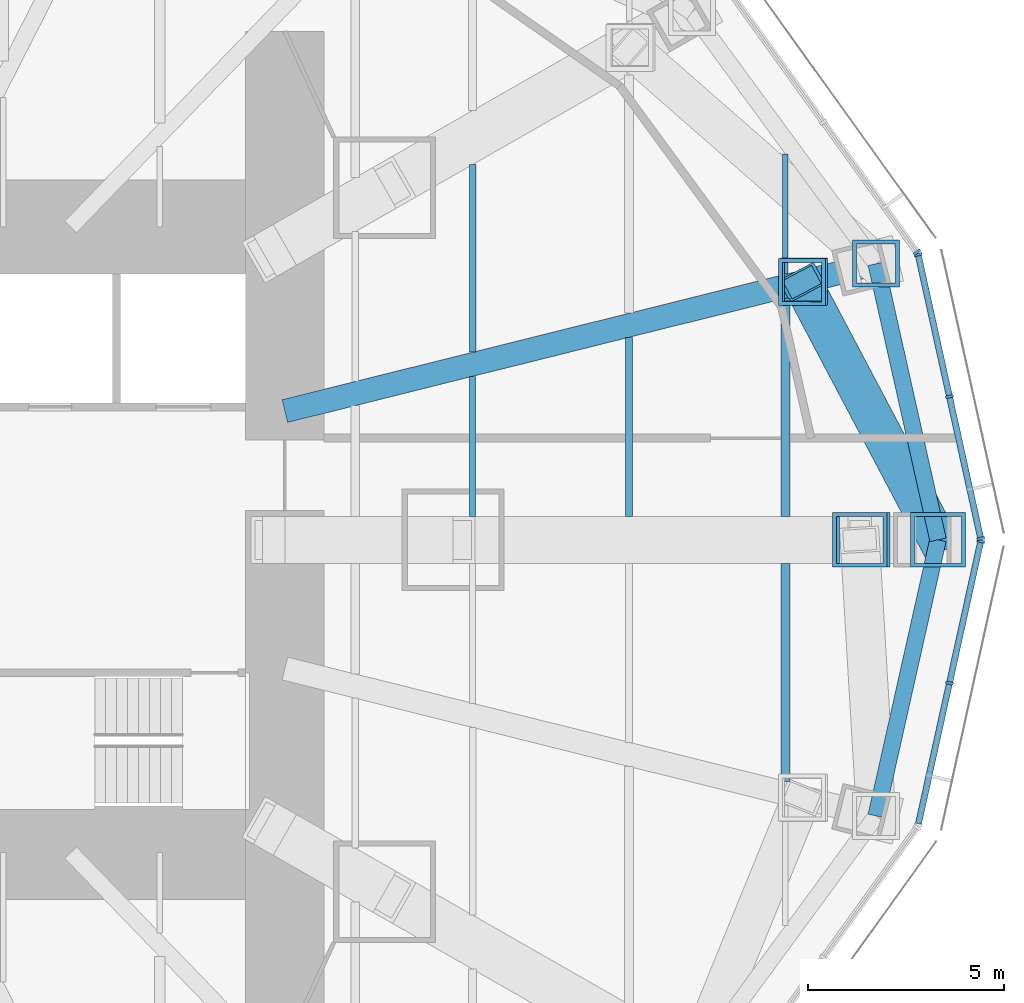
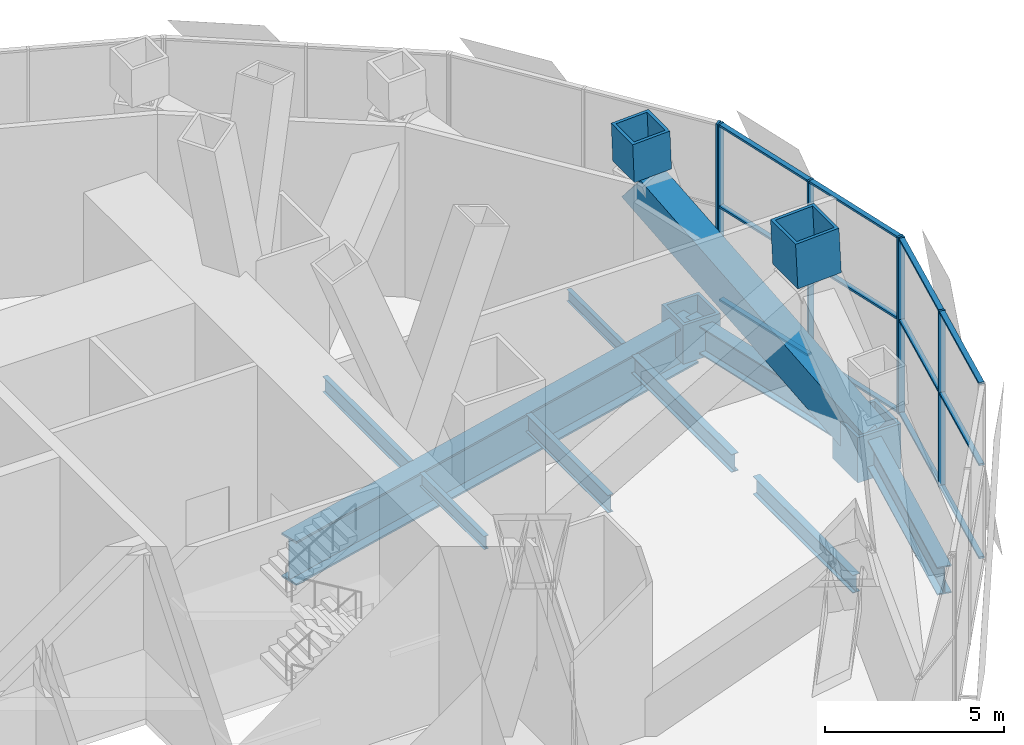
# One storey, part 7 of 21: 23 members, 9 beams, 3 elements without a shape of their own.
"""IFC4 building model written with IfcOpenShell, lengths in metres."""

import ifcopenshell
import ifcopenshell.guid

model = None  # the IFC model being written
_history = None  # IfcOwnerHistory: only IFC2X3 demands one
_inside = {}  # id of a spatial element -> (the spatial element, [elements in it])
_under = {}  # id of a project, library or spatial element -> (it, [spatial elements below it])
_declared = {}  # id of a project -> (the project, [libraries it declares])
_typed = {}  # id of a type object -> (the type object, [elements of that type])
_made_of = {}  # id of a material, layer set ... -> (it, [elements and type objects made of it])


def new_model(schema):
    """Start an empty IFC model of exactly this schema.

    Asked for "IFC4X3", IfcOpenShell would pick the latest addendum, in which some entities
    have other attributes; the version numbers below select the first issue.
    IFC2X3 requires an IfcOwnerHistory on every rooted entity: one is made here for all.
    """
    global model, _history
    if schema == "IFC4X3":
        model = ifcopenshell.file(schema_version=(4, 3, 0, 0))
    else:
        model = ifcopenshell.file(schema=schema)
    _inside.clear()
    _under.clear()
    _declared.clear()
    _typed.clear()
    _made_of.clear()
    _history = None
    if model.schema == "IFC2X3":
        org = make("IfcOrganization", Name="unknown")
        user = make(
            "IfcPersonAndOrganization",
            ThePerson=make("IfcPerson", FamilyName="unknown"),
            TheOrganization=org,
        )
        app = make(
            "IfcApplication",
            ApplicationDeveloper=org,
            Version="unknown",
            ApplicationFullName="unknown",
            ApplicationIdentifier="unknown",
        )
        _history = make(
            "IfcOwnerHistory",
            OwningUser=user,
            OwningApplication=app,
            ChangeAction="ADDED",
            CreationDate=0,
        )
    return model


def make(cls, **values):
    """One entity of the class cls with the attributes given. An attribute that is None is left unset."""
    return model.create_entity(
        cls, **{name: value for name, value in values.items() if value is not None}
    )


def rooted(cls, **values):
    """An entity with a GlobalId (a new one), such as an element, a storey or a relation."""
    return make(cls, GlobalId=ifcopenshell.guid.new(), OwnerHistory=_history, **values)


def si_unit(unit_type, name, prefix=None):
    """IfcSIUnit, for example si_unit("LENGTHUNIT", "METRE", prefix="MILLI")."""
    return make("IfcSIUnit", UnitType=unit_type, Prefix=prefix, Name=name)


def assignment(units):
    """IfcUnitAssignment: the units of a project."""
    return None if units is None else make("IfcUnitAssignment", Units=units)


def point(xyz):
    """IfcCartesianPoint."""
    return None if xyz is None else make("IfcCartesianPoint", Coordinates=xyz)


def direction(xyz):
    """IfcDirection."""
    return None if xyz is None else make("IfcDirection", DirectionRatios=xyz)


def frame(location, z_axis=None, x_axis=None):
    """IfcAxis2Placement3D, a coordinate frame: its origin and axes. An axis left out is left unset."""
    return make(
        "IfcAxis2Placement3D",
        Location=point(location),
        Axis=direction(z_axis),
        RefDirection=direction(x_axis),
    )


def frame_2d(location, x_axis=None):
    """IfcAxis2Placement2D, a coordinate frame in the plane: its origin and x axis."""
    return make(
        "IfcAxis2Placement2D", Location=point(location), RefDirection=direction(x_axis)
    )


def origin():
    """The frame at (0, 0, 0) with its axes left unset."""
    return frame((0.0, 0.0, 0.0))


def origin_2d():
    """The frame at (0, 0) in the plane with its x axis left unset."""
    return frame_2d((0.0, 0.0))


def place(relative_to, where):
    """IfcLocalPlacement: puts the frame where relative to a parent placement (None: the world)."""
    return make(
        "IfcLocalPlacement", PlacementRelTo=relative_to, RelativePlacement=where
    )


def context(
    kind, dimensions, precision=None, world=None, true_north=None, identifier=None
):
    """IfcGeometricRepresentationContext, for example the 3D "Model" context."""
    return make(
        "IfcGeometricRepresentationContext",
        ContextIdentifier=identifier,
        ContextType=kind,
        CoordinateSpaceDimension=dimensions,
        Precision=precision,
        WorldCoordinateSystem=world,
        TrueNorth=true_north,
    )


def subcontext(parent, identifier, kind, view, scale=None):
    """IfcGeometricRepresentationSubContext, for example "Body" below "Model"."""
    return make(
        "IfcGeometricRepresentationSubContext",
        ContextIdentifier=identifier,
        ContextType=kind,
        ParentContext=parent,
        TargetScale=scale,
        TargetView=view,
    )


def project(units=None, contexts=None):
    """IfcProject with its units and contexts."""
    return rooted(
        "IfcProject",
        Name="project",
        RepresentationContexts=contexts,
        UnitsInContext=assignment(units),
    )


def spatial(cls, under=None, at=None, **own):
    """A site, building, storey or space (cls), placed at a placement, below another one or the project."""
    s = rooted(cls, ObjectPlacement=at, **own)
    if under is not None:
        _under.setdefault(under.id(), (under, []))[1].append(s)
    return s


def profile(cls, at=None, kind="AREA", **sizes):
    """A parametric profile (cls). Its sizes go by their IFC names, for example OverallWidth=200.0."""
    return make(cls, ProfileType=kind, Position=at, **sizes)


def rectangle(**sizes):
    """IfcRectangleProfileDef."""
    return profile("IfcRectangleProfileDef", **sizes)


def hollow_rectangle(**sizes):
    """IfcRectangleHollowProfileDef."""
    return profile("IfcRectangleHollowProfileDef", **sizes)


def i_section(**sizes):
    """IfcIShapeProfileDef."""
    return profile("IfcIShapeProfileDef", **sizes)


def extrude(swept, where, along, depth):
    """IfcExtrudedAreaSolid: the profile swept, set in the frame where, extruded along a direction by depth."""
    return make(
        "IfcExtrudedAreaSolid",
        SweptArea=swept,
        Position=where,
        ExtrudedDirection=direction(along),
        Depth=depth,
    )


def shape(context_of_items, identifier, shape_type, items):
    """IfcShapeRepresentation: the items that make up one representation, for example the "Body"."""
    return make(
        "IfcShapeRepresentation",
        ContextOfItems=context_of_items,
        RepresentationIdentifier=identifier,
        RepresentationType=shape_type,
        Items=items,
    )


def material(Name=None, Category=None):
    """IfcMaterial."""
    return make("IfcMaterial", Name=Name, Category=Category)


def material_profile(
    of_material, cross_section, Name=None, Category=None, Priority=None
):
    """IfcMaterialProfile: a cross section and its material."""
    return make(
        "IfcMaterialProfile",
        Name=Name,
        Material=of_material,
        Profile=cross_section,
        Priority=Priority,
        Category=Category,
    )


def profile_set(profiles, Name=None, composite=None):
    """IfcMaterialProfileSet."""
    return make(
        "IfcMaterialProfileSet",
        Name=Name,
        MaterialProfiles=profiles,
        CompositeProfile=composite,
    )


def made_of(thing, what):
    """Note that an element or type object is made of a material, layer set ...; save() writes the relation."""
    if what is not None:
        _made_of.setdefault(what.id(), (what, []))[1].append(thing)
    return thing


def type_object(cls, material=None, **own):
    """A type object (cls), such as IfcWallType, which elements share."""
    return made_of(rooted(cls, **own), material)


def element(
    cls,
    number,
    at=None,
    inside=None,
    cuts=None,
    type_object=None,
    material=None,
    context=None,
    identifier="Body",
    shape_type=None,
    held_by="IfcProductDefinitionShape",
    body=None,
    shapes=None,
    **own,
):
    """One element of the class cls, such as IfcWall. Its Tag is "e" and its number.

    at: its placement. inside: the storey or other place that contains it. cuts: it is an
    opening in that element (IfcRelVoidsElement). A single representation is given by context,
    identifier, shape_type and body (its items); several are given by shapes. held_by: the class
    of the entity that holds the representations. save() writes the other relations.
    """
    e = rooted(cls, Tag="e%d" % number, ObjectPlacement=at, **own)
    if body is not None:
        shapes = [shape(context, identifier, shape_type, body)]
    if shapes is not None:
        e.Representation = make(held_by, Representations=shapes)
    if inside is not None:
        _inside.setdefault(inside.id(), (inside, []))[1].append(e)
    if cuts is not None:
        rooted(
            "IfcRelVoidsElement", RelatingBuildingElement=cuts, RelatedOpeningElement=e
        )
    if type_object is not None:
        _typed.setdefault(type_object.id(), (type_object, []))[1].append(e)
    return made_of(e, material)


def aggregate(whole, parts):
    """IfcRelAggregates: a whole, such as a stair, and the parts it consists of."""
    return rooted("IfcRelAggregates", RelatingObject=whole, RelatedObjects=parts)


def save(model, path):
    """Write the relations noted so far, then the file.

    IfcRelAggregates (storeys below a building ...), IfcRelContainedInSpatialStructure (elements
    in a storey), IfcRelDefinesByType, IfcRelAssociatesMaterial and IfcRelDeclares: one each for
    every whole, place, type object, material and project.
    """
    for whole, parts in _under.values():
        aggregate(whole, parts)
    for where, things in _inside.values():
        rooted(
            "IfcRelContainedInSpatialStructure",
            RelatedElements=things,
            RelatingStructure=where,
        )
    for kind, things in _typed.values():
        rooted("IfcRelDefinesByType", RelatedObjects=things, RelatingType=kind)
    for what, things in _made_of.values():
        rooted("IfcRelAssociatesMaterial", RelatedObjects=things, RelatingMaterial=what)
    for by, libraries in _declared.values():
        rooted("IfcRelDeclares", RelatingContext=by, RelatedDefinitions=libraries)
    model.write(path)


model = new_model("IFC4")

# Units and contexts
model_context = context("Model", 3, precision=1e-05, world=origin(), true_north=direction((0.0, 1.0)))
body_context = subcontext(model_context, "Body", "Model", "MODEL_VIEW")
ifc_project = project(units=[si_unit("LENGTHUNIT", "METRE"), si_unit("AREAUNIT", "SQUARE_METRE"), si_unit("VOLUMEUNIT", "CUBIC_METRE"), si_unit("PLANEANGLEUNIT", "RADIAN"), si_unit("MASSUNIT", "GRAM", prefix="KILO")], contexts=[model_context])

# Site, building, storey
site_placement = place(None, origin())
site = spatial("IfcSite", under=ifc_project, at=site_placement, CompositionType="ELEMENT")
building_placement = place(site_placement, origin())
building = spatial("IfcBuilding", under=site, at=building_placement, Name="Lantaw Convention Tower", CompositionType="ELEMENT")
storey_placement = place(building_placement, frame((0.0, 0.0, 105.39990234375)))
storey = spatial("IfcBuildingStorey", under=building, at=storey_placement, Name="L25", CompositionType="ELEMENT", Elevation=105.39990234375)

# Beams
ifc_material_1 = material(Name="Steel ASTM A992", Category="steel")
ifc_material_profile_1 = material_profile(ifc_material_1, i_section(OverallWidth=0.424072265625, OverallDepth=0.947509765625, WebThickness=0.02392578125, FlangeThickness=0.042724609375, FilletRadius=0.012451171875, at=origin_2d()), Name="W36X302")
ifc_profile_set_1 = profile_set([ifc_material_profile_1], Name="Steel ASTM A992")
beam_type_1 = type_object("IfcBeamType", Name="Beam BC W36X302", PredefinedType="SPANDREL", material=ifc_profile_set_1)
for number, where, z_axis, x_axis, name in (
    (1, (29.89990234375, 0.0, -0.673583984375), (-0.218652184873, 0.975802860239, 0.0), (-0.975802860239, -0.218652184873, 0.0), "Belt truss chord 1"),
    (2, (28.31787109375, -7.060302734375, -0.673583984375), (0.218652184873, 0.975802860239, 0.0), (-0.975802860239, 0.218652184873, 0.0), "Belt truss chord 24"),
):
    element("IfcBeam", number, at=place(storey_placement, frame(where, z_axis=z_axis, x_axis=x_axis)), inside=storey, type_object=beam_type_1, Name=name, PredefinedType="SPANDREL", context=body_context, shape_type="SweptSolid", body=[
        extrude(i_section(OverallWidth=0.424072265625, OverallDepth=0.947509765625, WebThickness=0.02392578125, FlangeThickness=0.042724609375, FilletRadius=0.012451171875, at=origin_2d()), origin(), (0.0, 0.0, 1.0), 7.2353515625),
    ])
ifc_material_2 = material(Name="Steel ASTM A572 Grade 50", Category="steel")
ifc_material_profile_2 = material_profile(ifc_material_2, i_section(OverallWidth=0.60009765625, OverallDepth=1.5, WebThickness=0.02490234375, FlangeThickness=0.06005859375, at=origin_2d()), Name="PG1500X600X25X60")
ifc_profile_set_2 = profile_set([ifc_material_profile_2], Name="Steel ASTM A572 Grade 50")
beam_type_2 = type_object("IfcBeamType", Name="Beam G PG1500X600X25X60", PredefinedType="BEAM", material=ifc_profile_set_2)
beam_1_placement = place(storey_placement, frame((13.199951171875, 3.291015625, -0.949951171875), z_axis=(0.970296233567, 0.241919860957, 0.0), x_axis=(-0.241919860957, 0.970296233567, 0.0)))
element("IfcBeam", 3, at=beam_1_placement, inside=storey, type_object=beam_type_2, Name="Floor girder on ray 2", PredefinedType="BEAM", context=body_context, shape_type="SweptSolid", body=[
    extrude(i_section(OverallWidth=0.60009765625, OverallDepth=1.5, WebThickness=0.02490234375, FlangeThickness=0.06005859375, at=origin_2d()), origin(), (0.0, 0.0, 1.0), 15.580810546875),
])
ifc_material_profile_3 = material_profile(ifc_material_1, i_section(OverallWidth=0.140380859375, OverallDepth=0.40380859375, WebThickness=0.007080078125, FlangeThickness=0.01123046875, FilletRadius=0.01025390625, at=origin_2d()), Name="W16X31")
ifc_profile_set_3 = profile_set([ifc_material_profile_3], Name="Steel ASTM A992")
beam_type_3 = type_object("IfcBeamType", Name="Beam J W16X31", PredefinedType="JOIST", material=ifc_profile_set_3)
beam_2_placement = place(storey_placement, frame((26.0, 6.791748046875, -0.40185546875), z_axis=(0.0, 1.0, 0.0), x_axis=(-1.0, 0.0, 0.0)))
element("IfcBeam", 4, at=beam_2_placement, inside=storey, type_object=beam_type_3, Name="Floor joist", PredefinedType="JOIST", context=body_context, shape_type="SweptSolid", body=[
    extrude(i_section(OverallWidth=0.140380859375, OverallDepth=0.40380859375, WebThickness=0.007080078125, FlangeThickness=0.01123046875, FilletRadius=0.01025390625, at=origin_2d()), origin(), (0.0, 0.0, 1.0), 3.0712890625),
])
ifc_material_profile_4 = material_profile(ifc_material_1, i_section(OverallWidth=0.15234375, OverallDepth=0.449462890625, WebThickness=0.007568359375, FlangeThickness=0.0107421875, FilletRadius=0.01025390625, at=origin_2d()), Name="W18X35")
ifc_profile_set_4 = profile_set([ifc_material_profile_4], Name="Steel ASTM A992")
beam_type_4 = type_object("IfcBeamType", Name="Beam J W18X35", PredefinedType="JOIST", material=ifc_profile_set_4)
beam_3_placement = place(storey_placement, frame((18.0, 0.60009765625, -0.4248046875), z_axis=(0.0, 1.0, 0.0), x_axis=(-1.0, 0.0, 0.0)))
element("IfcBeam", 5, at=beam_3_placement, inside=storey, type_object=beam_type_4, Name="Floor joist", PredefinedType="JOIST", context=body_context, shape_type="SweptSolid", body=[
    extrude(i_section(OverallWidth=0.15234375, OverallDepth=0.449462890625, WebThickness=0.007568359375, FlangeThickness=0.0107421875, FilletRadius=0.01025390625, at=origin_2d()), origin(), (0.0, 0.0, 1.0), 3.57861328125),
])
ifc_material_profile_5 = material_profile(ifc_material_1, i_section(OverallWidth=0.1650390625, OverallDepth=0.52587890625, WebThickness=0.0087890625, FlangeThickness=0.011474609375, FilletRadius=0.0126953125, at=origin_2d()), Name="W21X44")
ifc_profile_set_5 = profile_set([ifc_material_profile_5], Name="Steel ASTM A992")
beam_type_5 = type_object("IfcBeamType", Name="Beam J W21X44", PredefinedType="JOIST", material=ifc_profile_set_5)
beam_4_placement = place(storey_placement, frame((18.0, 4.797119140625, -0.462890625), z_axis=(0.0, 1.0, 0.0), x_axis=(-1.0, 0.0, 0.0)))
element("IfcBeam", 6, at=beam_4_placement, inside=storey, type_object=beam_type_5, Name="Floor joist", PredefinedType="JOIST", context=body_context, shape_type="SweptSolid", body=[
    extrude(i_section(OverallWidth=0.1650390625, OverallDepth=0.52587890625, WebThickness=0.0087890625, FlangeThickness=0.011474609375, FilletRadius=0.0126953125, at=origin_2d()), origin(), (0.0, 0.0, 1.0), 4.797607421875),
])
ifc_material_profile_6 = material_profile(ifc_material_1, i_section(OverallWidth=0.177978515625, OverallDepth=0.599365234375, WebThickness=0.010009765625, FlangeThickness=0.012939453125, FilletRadius=0.012939453125, at=origin_2d()), Name="W24X55")
ifc_profile_set_6 = profile_set([ifc_material_profile_6], Name="Steel ASTM A992")
beam_type_6 = type_object("IfcBeamType", Name="Beam J W24X55", PredefinedType="JOIST", material=ifc_profile_set_6)
beam_5_placement = place(storey_placement, frame((22.0, 0.60009765625, -0.49951171875), z_axis=(0.0, 1.0, 0.0), x_axis=(-1.0, 0.0, 0.0)))
element("IfcBeam", 7, at=beam_5_placement, inside=storey, type_object=beam_type_6, Name="Floor joist", PredefinedType="JOIST", context=body_context, shape_type="SweptSolid", body=[
    extrude(i_section(OverallWidth=0.177978515625, OverallDepth=0.599365234375, WebThickness=0.010009765625, FlangeThickness=0.012939453125, FilletRadius=0.012939453125, at=origin_2d()), origin(), (0.0, 0.0, 1.0), 4.575927734375),
])
ifc_material_profile_7 = material_profile(ifc_material_1, i_section(OverallWidth=0.22900390625, OverallDepth=0.612060546875, WebThickness=0.011962890625, FlangeThickness=0.01953125, FilletRadius=0.0126953125, at=origin_2d()), Name="W24X84")
ifc_profile_set_7 = profile_set([ifc_material_profile_7], Name="Steel ASTM A992")
beam_type_7 = type_object("IfcBeamType", Name="Beam J W24X84", PredefinedType="JOIST", material=ifc_profile_set_7)
for number, where, z_axis, x_axis, name in (
    (8, (26.0, -6.17333984375, -0.505859375), (0.0, 1.0, 0.0), (-1.0, 0.0, 0.0), "Floor joist"),
    (9, (26.0, 0.60009765625, -0.505859375), (0.0, 1.0, 0.0), (-1.0, 0.0, 0.0), "Floor joist"),
):
    element("IfcBeam", number, at=place(storey_placement, frame(where, z_axis=z_axis, x_axis=x_axis)), inside=storey, type_object=beam_type_7, Name=name, PredefinedType="JOIST", context=body_context, shape_type="SweptSolid", body=[
        extrude(i_section(OverallWidth=0.22900390625, OverallDepth=0.612060546875, WebThickness=0.011962890625, FlangeThickness=0.01953125, FilletRadius=0.0126953125, at=origin_2d()), origin(), (0.0, 0.0, 1.0), 5.5732421875),
    ])

# Curtain wall, members
ifc_material_3 = material(Name="Aluminium framed curtain wall", Category="aluminium")
curtain_wall_type = type_object("IfcCurtainWallType", Name="Plant floor louvre wall, pale aluminium", PredefinedType="USERDEFINED", material=ifc_material_3)
curtain_wall_1_placement = place(storey_placement, origin())
curtain_wall_1 = element("IfcCurtainWall", 10, at=curtain_wall_1_placement, inside=storey, type_object=curtain_wall_type, Name="Plant floor louvre wall, pale aluminium L25", ObjectType="LOUVRE WALL", PredefinedType="USERDEFINED")
ifc_material_4 = material(Name="Aluminium 6063-T6", Category="aluminium")
ifc_material_profile_8 = material_profile(ifc_material_4, rectangle(XDim=0.199951171875, YDim=0.070068359375, at=origin_2d()), Name="CW-LV mullion 70x200")
ifc_profile_set_8 = profile_set([ifc_material_profile_8], Name="Aluminium 6063-T6")
member_type_1 = type_object("IfcMemberType", Name="CW-LV mullion 70x200", PredefinedType="MULLION", material=ifc_profile_set_8)
member_1_placement = place(storey_placement, frame((30.992431640625, 0.0341796875, -0.199951171875), z_axis=(0.0, 0.0, 1.0), x_axis=(-0.976559847223, -0.215246056391, 0.0)))
member_1 = element("IfcMember", 11, at=member_1_placement, type_object=member_type_1, Name="CW-LV mullion 1", PredefinedType="MULLION", context=body_context, shape_type="SweptSolid", body=[
    extrude(rectangle(XDim=0.199951171875, YDim=0.070068359375, at=origin_2d()), origin(), (0.0, 0.0, 1.0), 6.0),
])
member_2_placement = place(storey_placement, frame((30.192626953125, 3.663330078125, -0.199951171875), z_axis=(0.0, 0.0, 1.0), x_axis=(-0.976559847223, -0.215246056391, 0.0)))
member_2 = element("IfcMember", 12, at=member_2_placement, type_object=member_type_1, Name="CW-LV mullion 2", PredefinedType="MULLION", context=body_context, shape_type="SweptSolid", body=[
    extrude(rectangle(XDim=0.199951171875, YDim=0.070068359375, at=origin_2d()), origin(), (0.0, 0.0, 1.0), 6.0),
])
member_3_placement = place(storey_placement, frame((29.392578125, 7.29248046875, -0.199951171875), z_axis=(0.0, 0.0, 1.0), x_axis=(-0.976559847223, -0.215246056391, 0.0)))
member_3 = element("IfcMember", 13, at=member_3_placement, type_object=member_type_1, Name="CW-LV mullion 3", PredefinedType="MULLION", context=body_context, shape_type="SweptSolid", body=[
    extrude(rectangle(XDim=0.199951171875, YDim=0.070068359375, at=origin_2d()), origin(), (0.0, 0.0, 1.0), 6.0),
])

# Curtain wall, member
curtain_wall_2_placement = place(storey_placement, origin())
curtain_wall_2 = element("IfcCurtainWall", 14, at=curtain_wall_2_placement, inside=storey, type_object=curtain_wall_type, Name="Plant floor louvre wall, pale aluminium L25", ObjectType="LOUVRE WALL", PredefinedType="USERDEFINED")
member_4_placement = place(storey_placement, frame((29.36474609375, 7.35498046875, -0.199951171875), z_axis=(0.0, 0.0, 1.0), x_axis=(-0.811788726895, -0.583951250436, 0.0)))
member_4 = element("IfcMember", 15, at=member_4_placement, type_object=member_type_1, Name="CW-LV mullion 1", PredefinedType="MULLION", context=body_context, shape_type="SweptSolid", body=[
    extrude(rectangle(XDim=0.199951171875, YDim=0.070068359375, at=origin_2d()), origin(), (0.0, 0.0, 1.0), 6.0),
])
aggregate(curtain_wall_2, [member_4])

# Curtain wall, members
curtain_wall_3_placement = place(storey_placement, origin())
curtain_wall_3 = element("IfcCurtainWall", 16, at=curtain_wall_3_placement, inside=storey, type_object=curtain_wall_type, Name="Plant floor louvre wall, pale aluminium L25", ObjectType="LOUVRE WALL", PredefinedType="USERDEFINED")
member_5_placement = place(storey_placement, frame((30.192626953125, -3.663330078125, -0.199951171875), z_axis=(0.0, 0.0, 1.0), x_axis=(-0.976559847223, 0.215246056391, 0.0)))
member_5 = element("IfcMember", 17, at=member_5_placement, type_object=member_type_1, Name="CW-LV mullion 2", PredefinedType="MULLION", context=body_context, shape_type="SweptSolid", body=[
    extrude(rectangle(XDim=0.199951171875, YDim=0.070068359375, at=origin_2d()), origin(), (0.0, 0.0, 1.0), 6.0),
])
member_6_placement = place(storey_placement, frame((30.992431640625, -0.0341796875, -0.199951171875), z_axis=(0.0, 0.0, 1.0), x_axis=(-0.976559847223, 0.215246056391, 0.0)))
member_6 = element("IfcMember", 18, at=member_6_placement, type_object=member_type_1, Name="CW-LV mullion 3", PredefinedType="MULLION", context=body_context, shape_type="SweptSolid", body=[
    extrude(rectangle(XDim=0.199951171875, YDim=0.070068359375, at=origin_2d()), origin(), (0.0, 0.0, 1.0), 6.0),
])

# Member
ifc_material_profile_9 = material_profile(ifc_material_4, rectangle(XDim=0.159912109375, YDim=0.070068359375, at=origin_2d()), Name="CW-LV transom 70x160")
ifc_profile_set_9 = profile_set([ifc_material_profile_9], Name="Aluminium 6063-T6")
member_type_2 = type_object("IfcMemberType", Name="CW-LV transom 70x160", PredefinedType="USERDEFINED", material=ifc_profile_set_9)
member_7_placement = place(storey_placement, frame((30.98486328125, 0.068359375, -0.164794921875), z_axis=(-0.215200259718, 0.976569940259, 0.0), x_axis=(-0.976569940259, -0.215200259718, 0.0)))
member_7 = element("IfcMember", 19, at=member_7_placement, type_object=member_type_2, Name="CW-LV transom 1.1", ObjectType="TRANSOM", PredefinedType="USERDEFINED", context=body_context, shape_type="SweptSolid", body=[
    extrude(rectangle(XDim=0.159912109375, YDim=0.070068359375, at=origin_2d()), origin(), (0.0, 0.0, 1.0), 3.646240234375),
])

member_8_placement = place(storey_placement, frame((30.98486328125, 0.068359375, 3.0), z_axis=(-0.215200259718, 0.976569940259, 0.0), x_axis=(-0.976569940259, -0.215200259718, 0.0)))
member_8 = element("IfcMember", 20, at=member_8_placement, type_object=member_type_2, Name="CW-LV transom 1.2", ObjectType="TRANSOM", PredefinedType="USERDEFINED", context=body_context, shape_type="SweptSolid", body=[
    extrude(rectangle(XDim=0.159912109375, YDim=0.070068359375, at=origin_2d()), origin(), (0.0, 0.0, 1.0), 3.646240234375),
])

member_9_placement = place(storey_placement, frame((30.98486328125, 0.068359375, 5.76513671875), z_axis=(-0.215200259718, 0.976569940259, 0.0), x_axis=(-0.976569940259, -0.215200259718, 0.0)))
member_9 = element("IfcMember", 21, at=member_9_placement, type_object=member_type_2, Name="CW-LV transom 1.3", ObjectType="TRANSOM", PredefinedType="USERDEFINED", context=body_context, shape_type="SweptSolid", body=[
    extrude(rectangle(XDim=0.159912109375, YDim=0.070068359375, at=origin_2d()), origin(), (0.0, 0.0, 1.0), 3.646240234375),
])

member_10_placement = place(storey_placement, frame((30.18505859375, 3.697509765625, -0.164794921875), z_axis=(-0.215264114619, 0.976555866788, 0.0), x_axis=(-0.976555866788, -0.215264114619, 0.0)))
member_10 = element("IfcMember", 22, at=member_10_placement, type_object=member_type_2, Name="CW-LV transom 2.1", ObjectType="TRANSOM", PredefinedType="USERDEFINED", context=body_context, shape_type="SweptSolid", body=[
    extrude(rectangle(XDim=0.159912109375, YDim=0.070068359375, at=origin_2d()), origin(), (0.0, 0.0, 1.0), 3.646240234375),
])

member_11_placement = place(storey_placement, frame((30.18505859375, 3.697509765625, 3.0), z_axis=(-0.215264114619, 0.976555866788, 0.0), x_axis=(-0.976555866788, -0.215264114619, 0.0)))
member_11 = element("IfcMember", 23, at=member_11_placement, type_object=member_type_2, Name="CW-LV transom 2.2", ObjectType="TRANSOM", PredefinedType="USERDEFINED", context=body_context, shape_type="SweptSolid", body=[
    extrude(rectangle(XDim=0.159912109375, YDim=0.070068359375, at=origin_2d()), origin(), (0.0, 0.0, 1.0), 3.646240234375),
])

member_12_placement = place(storey_placement, frame((30.18505859375, 3.697509765625, 5.76513671875), z_axis=(-0.215264114619, 0.976555866788, 0.0), x_axis=(-0.976555866788, -0.215264114619, 0.0)))
member_12 = element("IfcMember", 24, at=member_12_placement, type_object=member_type_2, Name="CW-LV transom 2.3", ObjectType="TRANSOM", PredefinedType="USERDEFINED", context=body_context, shape_type="SweptSolid", body=[
    extrude(rectangle(XDim=0.159912109375, YDim=0.070068359375, at=origin_2d()), origin(), (0.0, 0.0, 1.0), 3.646240234375),
])

aggregate(curtain_wall_1, [member_1, member_2, member_3, member_7, member_8, member_9, member_10, member_11, member_12])

member_13_placement = place(storey_placement, frame((29.400146484375, -7.25830078125, -0.164794921875), z_axis=(0.215264114619, 0.976555866788, 0.0), x_axis=(-0.976555866788, 0.215264114619, 0.0)))
member_13 = element("IfcMember", 25, at=member_13_placement, type_object=member_type_2, Name="CW-LV transom 1.1", ObjectType="TRANSOM", PredefinedType="USERDEFINED", context=body_context, shape_type="SweptSolid", body=[
    extrude(rectangle(XDim=0.159912109375, YDim=0.070068359375, at=origin_2d()), origin(), (0.0, 0.0, 1.0), 3.646240234375),
])

member_14_placement = place(storey_placement, frame((29.400146484375, -7.25830078125, 3.0), z_axis=(0.215264114619, 0.976555866788, 0.0), x_axis=(-0.976555866788, 0.215264114619, 0.0)))
member_14 = element("IfcMember", 26, at=member_14_placement, type_object=member_type_2, Name="CW-LV transom 1.2", ObjectType="TRANSOM", PredefinedType="USERDEFINED", context=body_context, shape_type="SweptSolid", body=[
    extrude(rectangle(XDim=0.159912109375, YDim=0.070068359375, at=origin_2d()), origin(), (0.0, 0.0, 1.0), 3.646240234375),
])

member_15_placement = place(storey_placement, frame((29.400146484375, -7.25830078125, 5.76513671875), z_axis=(0.215264114619, 0.976555866788, 0.0), x_axis=(-0.976555866788, 0.215264114619, 0.0)))
member_15 = element("IfcMember", 27, at=member_15_placement, type_object=member_type_2, Name="CW-LV transom 1.3", ObjectType="TRANSOM", PredefinedType="USERDEFINED", context=body_context, shape_type="SweptSolid", body=[
    extrude(rectangle(XDim=0.159912109375, YDim=0.070068359375, at=origin_2d()), origin(), (0.0, 0.0, 1.0), 3.646240234375),
])

member_16_placement = place(storey_placement, frame((30.2001953125, -3.629150390625, -0.164794921875), z_axis=(0.215200259718, 0.976569940259, 0.0), x_axis=(-0.976569940259, 0.215200259718, 0.0)))
member_16 = element("IfcMember", 28, at=member_16_placement, type_object=member_type_2, Name="CW-LV transom 2.1", ObjectType="TRANSOM", PredefinedType="USERDEFINED", context=body_context, shape_type="SweptSolid", body=[
    extrude(rectangle(XDim=0.159912109375, YDim=0.070068359375, at=origin_2d()), origin(), (0.0, 0.0, 1.0), 3.646240234375),
])

member_17_placement = place(storey_placement, frame((30.2001953125, -3.629150390625, 3.0), z_axis=(0.215200259718, 0.976569940259, 0.0), x_axis=(-0.976569940259, 0.215200259718, 0.0)))
member_17 = element("IfcMember", 29, at=member_17_placement, type_object=member_type_2, Name="CW-LV transom 2.2", ObjectType="TRANSOM", PredefinedType="USERDEFINED", context=body_context, shape_type="SweptSolid", body=[
    extrude(rectangle(XDim=0.159912109375, YDim=0.070068359375, at=origin_2d()), origin(), (0.0, 0.0, 1.0), 3.646240234375),
])

member_18_placement = place(storey_placement, frame((30.2001953125, -3.629150390625, 5.76513671875), z_axis=(0.215200259718, 0.976569940259, 0.0), x_axis=(-0.976569940259, 0.215200259718, 0.0)))
member_18 = element("IfcMember", 30, at=member_18_placement, type_object=member_type_2, Name="CW-LV transom 2.3", ObjectType="TRANSOM", PredefinedType="USERDEFINED", context=body_context, shape_type="SweptSolid", body=[
    extrude(rectangle(XDim=0.159912109375, YDim=0.070068359375, at=origin_2d()), origin(), (0.0, 0.0, 1.0), 3.646240234375),
])

aggregate(curtain_wall_3, [member_5, member_6, member_13, member_14, member_15, member_16, member_17, member_18])

# Members
ifc_material_profile_10 = material_profile(ifc_material_2, hollow_rectangle(XDim=1.0, YDim=1.0, WallThickness=0.080078125, at=origin_2d()), Name="BOX1000X80")
ifc_profile_set_10 = profile_set([ifc_material_profile_10], Name="Steel ASTM A572 Grade 50")
member_type_3 = type_object("IfcMemberType", Name="Member BT BOX1000X80", PredefinedType="BRACE", material=ifc_profile_set_10)
member_19_placement = place(storey_placement, frame((29.89990234375, 0.0, -0.673583984375), z_axis=(-0.363801162633, 0.688629098429, 0.627246904228), x_axis=(-0.884194916363, -0.46711813268, 0.0)))
element("IfcMember", 31, at=member_19_placement, inside=storey, type_object=member_type_3, Name="Belt truss diagonal 1", PredefinedType="BRACE", context=body_context, shape_type="SweptSolid", body=[
    extrude(hollow_rectangle(XDim=1.0, YDim=1.0, WallThickness=0.080078125, at=origin_2d()), origin(), (0.0, 0.0, 1.0), 9.565673828125),
])
ifc_material_5 = material(Name="Cast steel ASTM A148 Grade 80-50", Category="steel")
ifc_material_profile_11 = material_profile(ifc_material_5, hollow_rectangle(XDim=1.199951171875, YDim=1.199951171875, WallThickness=0.10009765625, at=origin_2d()), Name="BOX1200X100")
ifc_profile_set_11 = profile_set([ifc_material_profile_11], Name="Cast steel ASTM A148 Grade 80-50")
member_type_4 = type_object("IfcMemberType", Name="Member CN BOX1200X100", PredefinedType="USERDEFINED", material=ifc_profile_set_11)
member_20_placement = place(storey_placement, frame((28.31787109375, 7.060302734375, -1.31982421875), z_axis=(0.0, 0.0, 1.0), x_axis=(1.0, 0.0, 0.0)))
element("IfcMember", 32, at=member_20_placement, inside=storey, type_object=member_type_4, Name="Cast steel column node", ObjectType="COLUMN NODE", PredefinedType="USERDEFINED", context=body_context, shape_type="SweptSolid", body=[
    extrude(hollow_rectangle(XDim=1.199951171875, YDim=1.199951171875, WallThickness=0.10009765625, at=origin_2d()), origin(), (0.0, 0.0, 1.0), 1.31982421875),
])
member_21_placement = place(storey_placement, frame((26.479736328125, 6.60205078125, 5.81103515625), z_axis=(-0.045262314505, -0.011269392591, 0.998911569498), x_axis=(0.998975084207, -0.00083343341, 0.045255789938)))
element("IfcMember", 33, at=member_21_placement, inside=storey, type_object=member_type_4, Name="Cast steel column node", ObjectType="COLUMN NODE", PredefinedType="USERDEFINED", context=body_context, shape_type="SweptSolid", body=[
    extrude(hollow_rectangle(XDim=1.199951171875, YDim=1.199951171875, WallThickness=0.10009765625, at=origin_2d()), origin(), (0.0, 0.0, 1.0), 1.321533203125),
])
ifc_material_profile_12 = material_profile(ifc_material_5, hollow_rectangle(XDim=1.39990234375, YDim=1.39990234375, WallThickness=0.10009765625, at=origin_2d()), Name="BOX1400X100")
ifc_profile_set_12 = profile_set([ifc_material_profile_12], Name="Cast steel ASTM A148 Grade 80-50")
member_type_5 = type_object("IfcMemberType", Name="Member CN BOX1400X100", PredefinedType="USERDEFINED", material=ifc_profile_set_12)
member_22_placement = place(storey_placement, frame((29.89990234375, 0.0, -1.539794921875), z_axis=(0.0, 0.0, 1.0), x_axis=(1.0, 0.0, 0.0)))
element("IfcMember", 34, at=member_22_placement, inside=storey, type_object=member_type_5, Name="Cast steel column node", ObjectType="COLUMN NODE", PredefinedType="USERDEFINED", context=body_context, shape_type="SweptSolid", body=[
    extrude(hollow_rectangle(XDim=1.39990234375, YDim=1.39990234375, WallThickness=0.10009765625, at=origin_2d()), origin(), (0.0, 0.0, 1.0), 1.539794921875),
])
member_23_placement = place(storey_placement, frame((27.974853515625, 0.0, 5.775634765625), z_axis=(-0.048610821675, 0.0, 0.998817795204), x_axis=(0.998817795204, 0.0, 0.048610821675)))
element("IfcMember", 35, at=member_23_placement, inside=storey, type_object=member_type_5, Name="Cast steel column node", ObjectType="COLUMN NODE", PredefinedType="USERDEFINED", context=body_context, shape_type="SweptSolid", body=[
    extrude(hollow_rectangle(XDim=1.39990234375, YDim=1.39990234375, WallThickness=0.10009765625, at=origin_2d()), origin(), (0.0, 0.0, 1.0), 1.541748046875),
])

save(model, "model.ifc")
